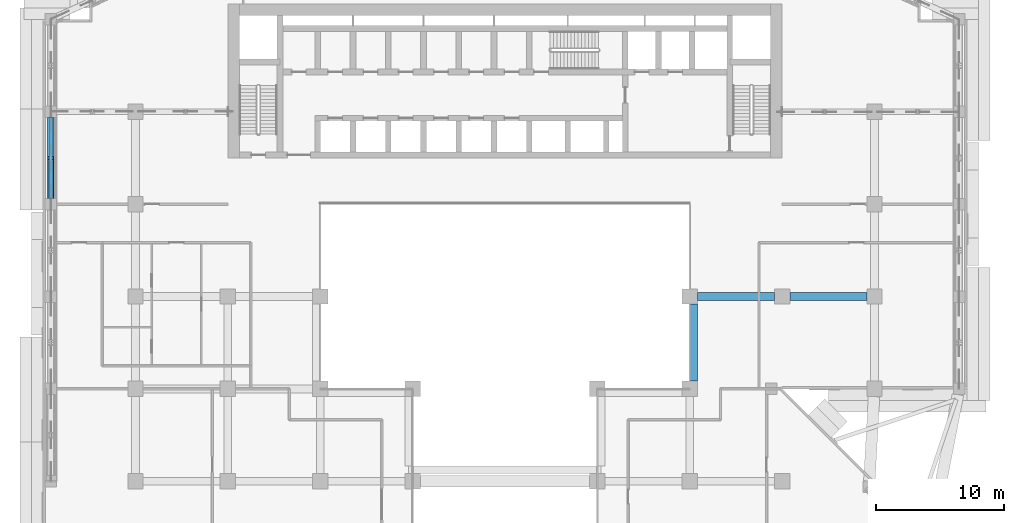
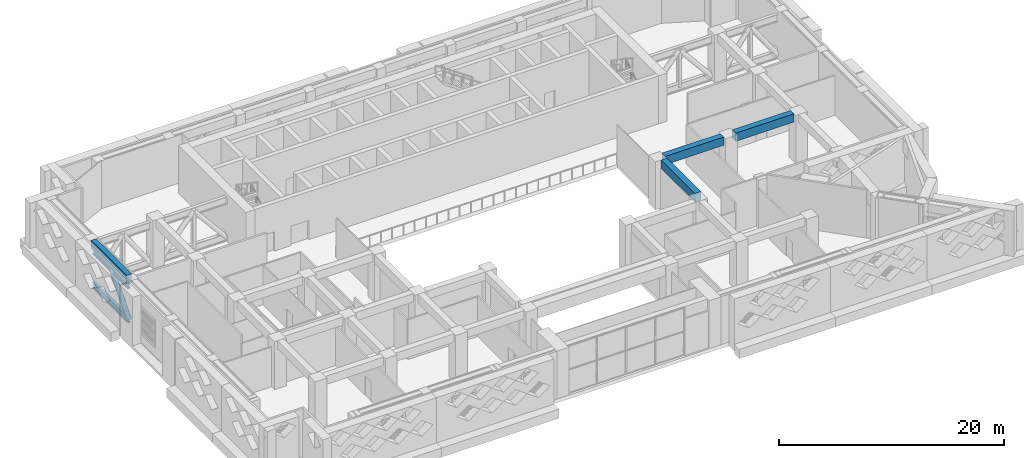
# One storey, part 5 of 19: 4 beams, 3 members.
"""IFC4 building model written with IfcOpenShell, lengths in metres."""

from ifc_helpers import new_model, si_unit, direction, frame, origin, origin_2d, place, context, subcontext, project, spatial, rectangle, hollow_circle, i_section, extrude, source, transform, mapped, material, material_profile, profile_set, type_object, element, save


model = new_model("IFC4")

# Units and contexts
model_context = context("Model", 3, precision=1e-05, world=origin(), true_north=direction((0.0, 1.0)))
body_context = subcontext(model_context, "Body", "Model", "MODEL_VIEW")
ifc_project = project(units=[si_unit("LENGTHUNIT", "METRE"), si_unit("AREAUNIT", "SQUARE_METRE"), si_unit("VOLUMEUNIT", "CUBIC_METRE"), si_unit("PLANEANGLEUNIT", "RADIAN"), si_unit("MASSUNIT", "GRAM", prefix="KILO")], contexts=[model_context])

# Site, building, storey
site_placement = place(None, origin())
site = spatial("IfcSite", under=ifc_project, at=site_placement, CompositionType="ELEMENT")
building_placement = place(site_placement, origin())
building = spatial("IfcBuilding", under=site, at=building_placement, Name="Saffron Iwan Residences", CompositionType="ELEMENT")
storey_placement = place(building_placement, frame((0.0, 0.0, 107.5)))
storey = spatial("IfcBuildingStorey", under=building, at=storey_placement, Name="L28", CompositionType="ELEMENT", Elevation=107.5)

# Beams
ifc_material_1 = material(Name="Concrete C60/75", Category="concrete")
ifc_material_profile_1 = material_profile(ifc_material_1, rectangle(XDim=0.5, YDim=0.89990234375, at=origin_2d()), Name="RC 500x900")
ifc_profile_set_1 = profile_set([ifc_material_profile_1], Name="Concrete C60/75")
beam_type_1 = type_object("IfcBeamType", Name="SPANDREL BEAM RC 500x900 C60/75 TOP 5200", PredefinedType="SPANDREL", material=ifc_profile_set_1)
shared_shape_1 = source(origin(), body_context, "Body", "SweptSolid", [
    extrude(rectangle(XDim=0.5, YDim=0.89990234375, at=origin_2d()), origin(), (0.0, 0.0, 1.0), 6.2998046875),
])
beam_placement = place(storey_placement, frame((15.0, 62.85009765625, 4.75), z_axis=(0.0, 1.0, 0.0), x_axis=(-1.0, 0.0, 0.0)))
element("IfcBeam", 1, at=beam_placement, inside=storey, type_object=beam_type_1, Name="Spandrel beam", PredefinedType="SPANDREL", context=body_context, shape_type="MappedRepresentation", body=[
    mapped(shared_shape_1, transform((0.0, 0.0, 0.0))),
])
ifc_material_profile_2 = material_profile(ifc_material_1, rectangle(XDim=0.60009765625, YDim=0.89990234375, at=origin_2d()), Name="RC 600x900")
ifc_profile_set_2 = profile_set([ifc_material_profile_2], Name="Concrete C60/75")
beam_type_2 = type_object("IfcBeamType", Name="BEAM RC 600x900 C60/75 TOP 5200", PredefinedType="BEAM", material=ifc_profile_set_2)
shared_shape_2 = source(origin(), body_context, "Body", "SweptSolid", [
    extrude(rectangle(XDim=0.60009765625, YDim=0.89990234375, at=origin_2d()), origin(), (0.0, 0.0, 1.0), 6.0),
])
for number, where, z_axis, x_axis, name in (
    (2, (65.10009765625, 54.60009765625, 4.75), (0.0, -1.0, 0.0), (1.0, 0.0, 0.0), "Atrium edge beam"),
    (3, (65.39990234375, 55.199951171875, 4.75), (1.0, 0.0, 0.0), (0.0, 1.0, 0.0), "Floor beam"),
    (4, (72.60009765625, 55.199951171875, 4.75), (1.0, 0.0, 0.0), (0.0, 1.0, 0.0), "Floor beam"),
):
    element("IfcBeam", number, at=place(storey_placement, frame(where, z_axis=z_axis, x_axis=x_axis)), inside=storey, type_object=beam_type_2, Name=name, PredefinedType="BEAM", context=body_context, shape_type="MappedRepresentation", body=[
        mapped(shared_shape_2, transform((0.0, 0.0, 0.0))),
    ])

# Members
ifc_material_2 = material(Name="Steel S355", Category="steel")
ifc_material_profile_3 = material_profile(ifc_material_2, hollow_circle(Radius=0.25390625, WallThickness=0.01611328125, at=origin_2d()), Name="CHS 508x16")
ifc_profile_set_3 = profile_set([ifc_material_profile_3], Name="Steel S355")
member_type_1 = type_object("IfcMemberType", Name="BELT TRUSS DIAGONAL CHS 508x16 S355", PredefinedType="BRACE", material=ifc_profile_set_3)
shared_shape_3 = source(origin(), body_context, "Body", "SweptSolid", [
    extrude(hollow_circle(Radius=0.25390625, WallThickness=0.01611328125, at=origin_2d()), origin(), (0.0, 0.0, 1.0), 4.843994140625),
])
member_placement = place(storey_placement, frame((15.0, 62.85009765625, 0.31005859375), z_axis=(0.0, 0.650276538531, 0.75969758683), x_axis=(-1.0, 0.0, 0.0)))
element("IfcMember", 5, at=member_placement, inside=storey, type_object=member_type_1, Name="Belt truss diagonal L28", PredefinedType="BRACE", context=body_context, shape_type="MappedRepresentation", body=[
    mapped(shared_shape_3, transform((0.0, 0.0, 0.0))),
])
ifc_material_profile_4 = material_profile(ifc_material_2, i_section(OverallWidth=0.304931640625, OverallDepth=0.6201171875, WebThickness=0.02099609375, FlangeThickness=0.0400390625, FilletRadius=0.027099609375, at=origin_2d()), Name="HE 600 M")
ifc_profile_set_4 = profile_set([ifc_material_profile_4], Name="Steel S355")
member_type_2 = type_object("IfcMemberType", Name="BELT TRUSS CHORD HE 600 M S355", PredefinedType="CHORD", material=ifc_profile_set_4)
shared_shape_4 = source(origin(), body_context, "Body", "SweptSolid", [
    extrude(i_section(OverallWidth=0.304931640625, OverallDepth=0.6201171875, WebThickness=0.02099609375, FlangeThickness=0.0400390625, FilletRadius=0.027099609375, at=origin_2d()), origin(), (0.0, 0.0, 1.0), 6.2998046875),
])
for number, where, z_axis, x_axis, name in (
    (6, (15.0, 62.85009765625, 0.31005859375), (0.0, 1.0, 0.0), (-1.0, 0.0, 0.0), "Belt truss chord L28"),
    (7, (15.0, 62.85009765625, 3.989990234375), (0.0, 1.0, 0.0), (-1.0, 0.0, 0.0), "Belt truss chord L28"),
):
    element("IfcMember", number, at=place(storey_placement, frame(where, z_axis=z_axis, x_axis=x_axis)), inside=storey, type_object=member_type_2, Name=name, PredefinedType="CHORD", context=body_context, shape_type="MappedRepresentation", body=[
        mapped(shared_shape_4, transform((0.0, 0.0, 0.0))),
    ])

save(model, "model.ifc")
